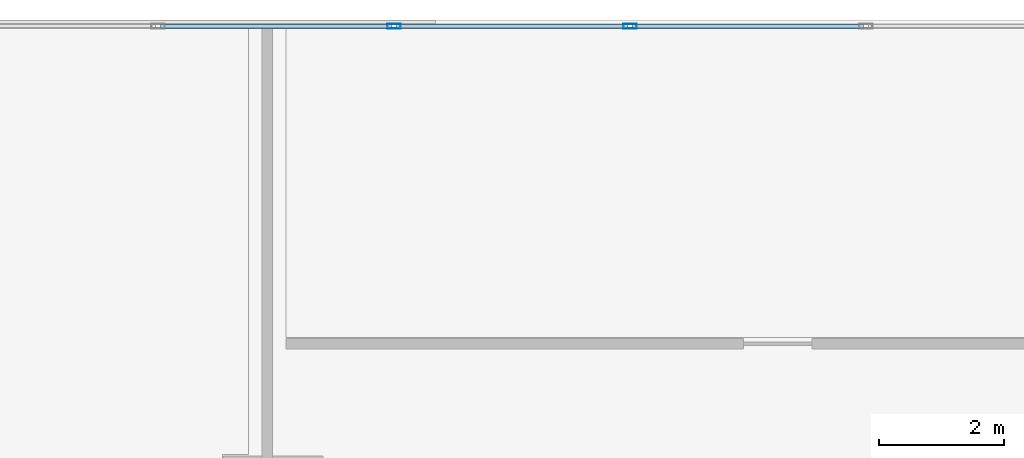
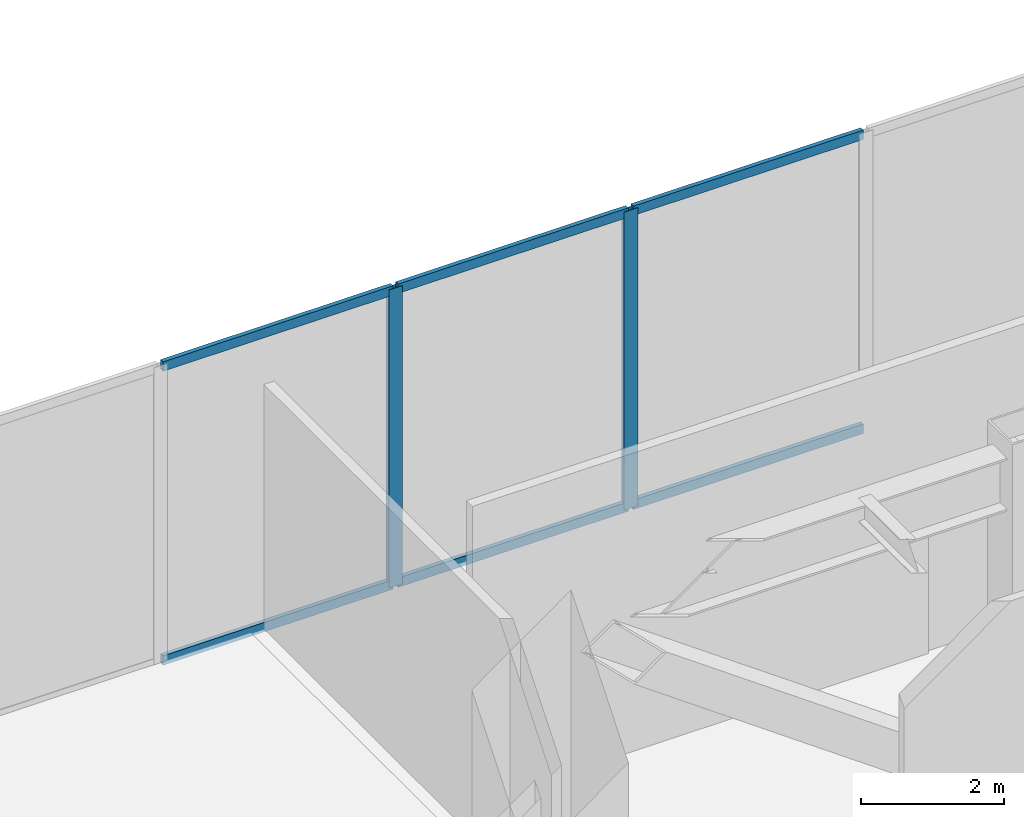
# One storey, part 15 of 35: 8 members, 1 element without a shape of its own.
"""IFC4 building model written with IfcOpenShell, lengths in metres."""

from ifc_helpers import new_model, si_unit, direction, frame, origin, origin_2d, place, context, subcontext, project, spatial, hollow_rectangle, extrude, source, transform, mapped, material, layer, layer_set, material_profile, profile_set, type_object, type_shapes, element, aggregate, save


model = new_model("IFC4")

# Units and contexts
model_context = context("Model", 3, precision=1e-05, world=origin(), true_north=direction((0.0, 1.0)))
body_context = subcontext(model_context, "Body", "Model", "MODEL_VIEW")
ifc_project = project(units=[si_unit("LENGTHUNIT", "METRE"), si_unit("AREAUNIT", "SQUARE_METRE"), si_unit("VOLUMEUNIT", "CUBIC_METRE"), si_unit("PLANEANGLEUNIT", "RADIAN"), si_unit("MASSUNIT", "GRAM", prefix="KILO")], contexts=[model_context])

# Site, building, storey
site_placement = place(None, origin())
site = spatial("IfcSite", under=ifc_project, at=site_placement, CompositionType="ELEMENT")
building_placement = place(site_placement, origin())
building = spatial("IfcBuilding", under=site, at=building_placement, Name="Haelvirn Gate Laboratories", CompositionType="ELEMENT")
storey_placement = place(building_placement, frame((0.0, 0.0, 19.800048828125)))
storey = spatial("IfcBuildingStorey", under=building, at=storey_placement, Name="L05", CompositionType="ELEMENT", Elevation=19.800048828125)

# Curtain wall, members
ifc_material_1 = material(Name="Anodised bronze unitised aluminium & triple low-E glass", Category="aluminium")
ifc_layer = layer(ifc_material_1, 0.18798828125, Name="CW-SYS-1")
ifc_layer_set = layer_set([ifc_layer], Name="Anodised bronze unitised aluminium & triple low-E glass")
curtain_wall_type = type_object("IfcCurtainWallType", Name="CW-SYS-1", PredefinedType="NOTDEFINED", material=ifc_layer_set)
curtain_wall_placement = place(storey_placement, origin())
curtain_wall = element("IfcCurtainWall", 1, at=curtain_wall_placement, inside=storey, type_object=curtain_wall_type, Name="L05 Unitised Curtain Wall CW-L05-P0-E06-1", PredefinedType="NOTDEFINED")
ifc_material_2 = material(Name="Extruded aluminium 6063-T6 (anodised bronze)", Category="aluminium")
ifc_material_profile_1 = material_profile(ifc_material_2, hollow_rectangle(XDim=0.080078125, YDim=0.219970703125, WallThickness=0.006103515625, at=origin_2d()), Name="CWM-220x80x6")
ifc_profile_set_1 = profile_set([ifc_material_profile_1], Name="Extruded aluminium 6063-T6 (anodised bronze)")
member_type_1 = type_object("IfcMemberType", Name="CWM-T220", PredefinedType="MULLION", material=ifc_profile_set_1)
shared_shape_1 = source(origin(), body_context, "Body", "SweptSolid", [
    extrude(hollow_rectangle(XDim=0.080078125, YDim=0.219970703125, WallThickness=0.006103515625, at=origin_2d()), origin(), (0.0, 0.0, 1.0), 5.079833984375),
])
type_shapes(member_type_1, [shared_shape_1])
member_1_placement = place(storey_placement, frame((24.136962890625, 49.300048828125, 0.0), z_axis=(0.0, 0.0, 1.0), x_axis=(0.0, 1.0, 0.0)))
member_1 = element("IfcMember", 2, at=member_1_placement, type_object=member_type_1, Name="CW1 mullion 7", PredefinedType="MULLION", context=body_context, shape_type="MappedRepresentation", body=[
    mapped(shared_shape_1, transform((0.0, 0.0, 0.0), scale=1.0)),
])
member_2_placement = place(storey_placement, frame((27.92626953125, 49.300048828125, 0.0), z_axis=(0.0, 0.0, 1.0), x_axis=(0.0, 1.0, 0.0)))
member_2 = element("IfcMember", 3, at=member_2_placement, type_object=member_type_1, Name="CW1 mullion 8", PredefinedType="MULLION", context=body_context, shape_type="MappedRepresentation", body=[
    mapped(shared_shape_1, transform((0.0, 0.0, 0.0), scale=1.0)),
])
ifc_material_profile_2 = material_profile(ifc_material_2, hollow_rectangle(XDim=0.070068359375, YDim=0.159912109375, WallThickness=0.0048828125, at=origin_2d()), Name="CWT-160x70x5")
ifc_profile_set_2 = profile_set([ifc_material_profile_2], Name="Extruded aluminium 6063-T6 (anodised bronze)")
member_type_2 = type_object("IfcMemberType", Name="CWT-T160", PredefinedType="USERDEFINED", material=ifc_profile_set_2)
shared_shape_2 = source(origin(), body_context, "Body", "SweptSolid", [
    extrude(hollow_rectangle(XDim=0.070068359375, YDim=0.159912109375, WallThickness=0.0048828125, at=origin_2d()), origin(), (0.0, 0.0, 1.0), 3.70947265625),
])
type_shapes(member_type_2, [shared_shape_2])
member_3_placement = place(storey_placement, frame((20.387451171875, 49.300048828125, 0.034912109375), z_axis=(1.0, 0.0, 0.0), x_axis=(0.0, 1.0, 0.0)))
member_3 = element("IfcMember", 4, at=member_3_placement, type_object=member_type_2, Name="CW1 transom 6.1", ObjectType="TRANSOM", PredefinedType="USERDEFINED", context=body_context, shape_type="MappedRepresentation", body=[
    mapped(shared_shape_2, transform((0.0, 0.0, 0.0), scale=1.0)),
])
member_4_placement = place(storey_placement, frame((20.387451171875, 49.300048828125, 5.044921875), z_axis=(1.0, 0.0, 0.0), x_axis=(0.0, 1.0, 0.0)))
member_4 = element("IfcMember", 5, at=member_4_placement, type_object=member_type_2, Name="CW1 transom 6.2", ObjectType="TRANSOM", PredefinedType="USERDEFINED", context=body_context, shape_type="MappedRepresentation", body=[
    mapped(shared_shape_2, transform((0.0, 0.0, 0.0), scale=1.0)),
])
member_5_placement = place(storey_placement, frame((24.1767578125, 49.300048828125, 0.034912109375), z_axis=(1.0, 0.0, 0.0), x_axis=(0.0, 1.0, 0.0)))
member_5 = element("IfcMember", 6, at=member_5_placement, type_object=member_type_2, Name="CW1 transom 7.1", ObjectType="TRANSOM", PredefinedType="USERDEFINED", context=body_context, shape_type="MappedRepresentation", body=[
    mapped(shared_shape_2, transform((0.0, 0.0, 0.0), scale=1.0)),
])
member_6_placement = place(storey_placement, frame((24.1767578125, 49.300048828125, 5.044921875), z_axis=(1.0, 0.0, 0.0), x_axis=(0.0, 1.0, 0.0)))
member_6 = element("IfcMember", 7, at=member_6_placement, type_object=member_type_2, Name="CW1 transom 7.2", ObjectType="TRANSOM", PredefinedType="USERDEFINED", context=body_context, shape_type="MappedRepresentation", body=[
    mapped(shared_shape_2, transform((0.0, 0.0, 0.0), scale=1.0)),
])
member_7_placement = place(storey_placement, frame((27.96630859375, 49.300048828125, 0.034912109375), z_axis=(1.0, 0.0, 0.0), x_axis=(0.0, 1.0, 0.0)))
member_7 = element("IfcMember", 8, at=member_7_placement, type_object=member_type_2, Name="CW1 transom 8.1", ObjectType="TRANSOM", PredefinedType="USERDEFINED", context=body_context, shape_type="MappedRepresentation", body=[
    mapped(shared_shape_2, transform((0.0, 0.0, 0.0), scale=1.0)),
])
member_8_placement = place(storey_placement, frame((27.96630859375, 49.300048828125, 5.044921875), z_axis=(1.0, 0.0, 0.0), x_axis=(0.0, 1.0, 0.0)))
member_8 = element("IfcMember", 9, at=member_8_placement, type_object=member_type_2, Name="CW1 transom 8.2", ObjectType="TRANSOM", PredefinedType="USERDEFINED", context=body_context, shape_type="MappedRepresentation", body=[
    mapped(shared_shape_2, transform((0.0, 0.0, 0.0), scale=1.0)),
])
aggregate(curtain_wall, [member_1, member_2, member_3, member_4, member_5, member_6, member_7, member_8])

save(model, "model.ifc")
